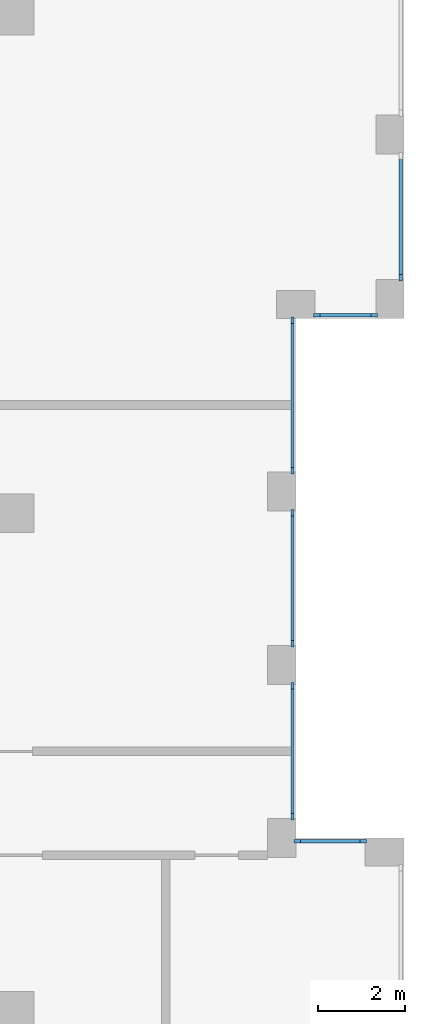
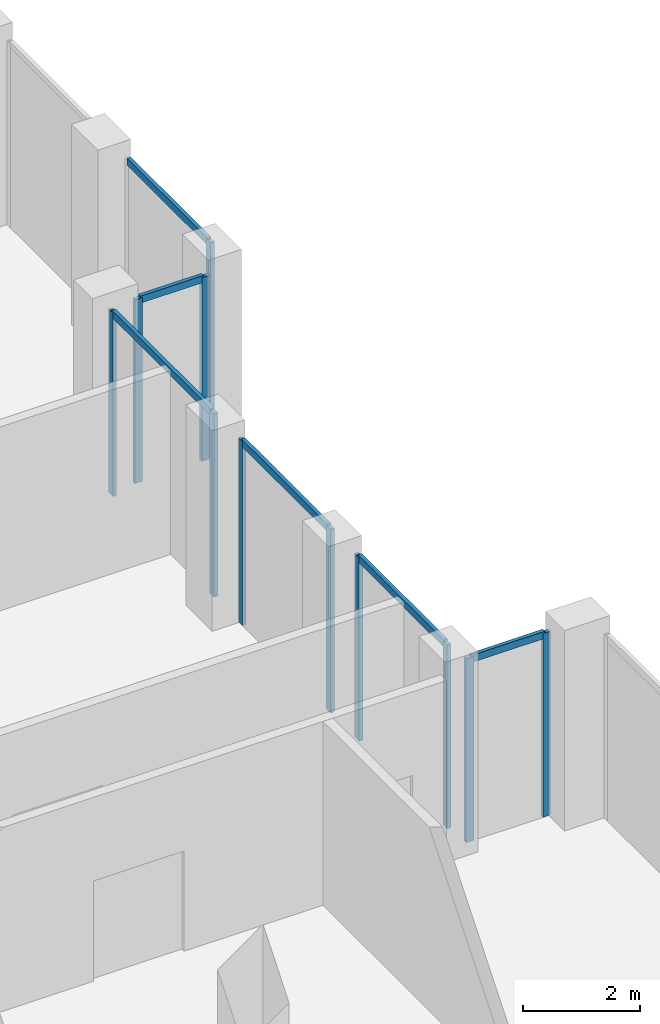
# One storey, part 6 of 15: 17 members, 6 elements without a shape of their own.
"""IFC4 building model written with IfcOpenShell, lengths in metres."""

from ifc_helpers import new_model, si_unit, direction, frame, origin, origin_2d, place, context, subcontext, project, spatial, rectangle, extrude, material, layer, layer_set, material_profile, profile_set, type_object, element, aggregate, save


model = new_model("IFC4")

# Units and contexts
model_context = context("Model", 3, precision=1e-05, world=origin(), true_north=direction((0.0, 1.0)))
body_context = subcontext(model_context, "Body", "Model", "MODEL_VIEW")
ifc_project = project(units=[si_unit("LENGTHUNIT", "METRE"), si_unit("AREAUNIT", "SQUARE_METRE"), si_unit("VOLUMEUNIT", "CUBIC_METRE"), si_unit("PLANEANGLEUNIT", "RADIAN"), si_unit("MASSUNIT", "GRAM", prefix="KILO")], contexts=[model_context])

# Site, building, storey
site_placement = place(None, origin())
site = spatial("IfcSite", under=ifc_project, at=site_placement, CompositionType="ELEMENT")
building_placement = place(site_placement, origin())
building = spatial("IfcBuilding", under=site, at=building_placement, Name="Brigalow Station Residences", CompositionType="ELEMENT")
storey_placement = place(building_placement, frame((0.0, 0.0, 240.0)))
storey = spatial("IfcBuildingStorey", under=building, at=storey_placement, Name="L69", CompositionType="ELEMENT", Elevation=240.0)

# Curtain wall, members
ifc_material_1 = material(Name="Aluminium", Category="aluminium")
ifc_layer = layer(ifc_material_1, 0.14990234375)
ifc_layer_set = layer_set([ifc_layer], Name="CROWN CURTAIN WALL")
curtain_wall_type = type_object("IfcCurtainWallType", Name="CROWN CURTAIN WALL", PredefinedType="NOTDEFINED", material=ifc_layer_set)
curtain_wall_1_placement = place(storey_placement, origin())
curtain_wall_1 = element("IfcCurtainWall", 1, at=curtain_wall_1_placement, inside=storey, type_object=curtain_wall_type, Name="L69/cw/crown-W-L69-11-10", PredefinedType="NOTDEFINED")
ifc_material_2 = material(Name="Aluminium", Category="aluminium")
ifc_material_profile_1 = material_profile(ifc_material_2, rectangle(XDim=0.074951171875, YDim=0.14990234375, at=origin_2d()), Name="CROWN MULLION 75x150")
ifc_profile_set_1 = profile_set([ifc_material_profile_1], Name="Aluminium")
member_type_1 = type_object("IfcMemberType", Name="CROWN MULLION 75x150", PredefinedType="MULLION", material=ifc_profile_set_1)
member_1_placement = place(storey_placement, frame((71.0625, 16.425048828125, 0.0), z_axis=(0.0, 0.0, 1.0), x_axis=(0.0, -1.0, 0.0)))
member_1 = element("IfcMember", 2, at=member_1_placement, type_object=member_type_1, Name="L69/cw/crown-W-L69-11-10/M00", PredefinedType="MULLION", context=body_context, shape_type="SweptSolid", body=[
    extrude(rectangle(XDim=0.074951171875, YDim=0.14990234375, at=origin_2d()), origin(), (0.0, 0.0, 1.0), 3.85009765625),
])
member_2_placement = place(storey_placement, frame((69.53759765625, 16.425048828125, 0.0), z_axis=(0.0, 0.0, 1.0), x_axis=(0.0, -1.0, 0.0)))
member_2 = element("IfcMember", 3, at=member_2_placement, type_object=member_type_1, Name="L69/cw/crown-W-L69-11-10/M01", PredefinedType="MULLION", context=body_context, shape_type="SweptSolid", body=[
    extrude(rectangle(XDim=0.074951171875, YDim=0.14990234375, at=origin_2d()), origin(), (0.0, 0.0, 1.0), 3.85009765625),
])

curtain_wall_2_placement = place(storey_placement, origin())
curtain_wall_2 = element("IfcCurtainWall", 4, at=curtain_wall_2_placement, inside=storey, type_object=curtain_wall_type, Name="L69/cw/crown-W-L69-12-11", PredefinedType="NOTDEFINED")
member_3_placement = place(storey_placement, frame((69.425048828125, 16.987548828125, 0.0), z_axis=(0.0, 0.0, 1.0), x_axis=(-1.0, 0.0, 0.0)))
member_3 = element("IfcMember", 5, at=member_3_placement, type_object=member_type_1, Name="L69/cw/crown-W-L69-12-11/M00", PredefinedType="MULLION", context=body_context, shape_type="SweptSolid", body=[
    extrude(rectangle(XDim=0.074951171875, YDim=0.14990234375, at=origin_2d()), origin(), (0.0, 0.0, 1.0), 3.85009765625),
])
member_4_placement = place(storey_placement, frame((69.425048828125, 20.012451171875, 0.0), z_axis=(0.0, 0.0, 1.0), x_axis=(-1.0, 0.0, 0.0)))
member_4 = element("IfcMember", 6, at=member_4_placement, type_object=member_type_1, Name="L69/cw/crown-W-L69-12-11/M01", PredefinedType="MULLION", context=body_context, shape_type="SweptSolid", body=[
    extrude(rectangle(XDim=0.074951171875, YDim=0.14990234375, at=origin_2d()), origin(), (0.0, 0.0, 1.0), 3.85009765625),
])

curtain_wall_3_placement = place(storey_placement, origin())
curtain_wall_3 = element("IfcCurtainWall", 7, at=curtain_wall_3_placement, inside=storey, type_object=curtain_wall_type, Name="L69/cw/crown-W-L69-12-12", PredefinedType="NOTDEFINED")
member_5_placement = place(storey_placement, frame((69.425048828125, 20.987548828125, 0.0), z_axis=(0.0, 0.0, 1.0), x_axis=(-1.0, 0.0, 0.0)))
member_5 = element("IfcMember", 8, at=member_5_placement, type_object=member_type_1, Name="L69/cw/crown-W-L69-12-12/M00", PredefinedType="MULLION", context=body_context, shape_type="SweptSolid", body=[
    extrude(rectangle(XDim=0.074951171875, YDim=0.14990234375, at=origin_2d()), origin(), (0.0, 0.0, 1.0), 3.85009765625),
])
member_6_placement = place(storey_placement, frame((69.425048828125, 24.012451171875, 0.0), z_axis=(0.0, 0.0, 1.0), x_axis=(-1.0, 0.0, 0.0)))
member_6 = element("IfcMember", 9, at=member_6_placement, type_object=member_type_1, Name="L69/cw/crown-W-L69-12-12/M01", PredefinedType="MULLION", context=body_context, shape_type="SweptSolid", body=[
    extrude(rectangle(XDim=0.074951171875, YDim=0.14990234375, at=origin_2d()), origin(), (0.0, 0.0, 1.0), 3.85009765625),
])

curtain_wall_4_placement = place(storey_placement, origin())
curtain_wall_4 = element("IfcCurtainWall", 10, at=curtain_wall_4_placement, inside=storey, type_object=curtain_wall_type, Name="L69/cw/crown-W-L69-12-13", PredefinedType="NOTDEFINED")
member_7_placement = place(storey_placement, frame((69.425048828125, 24.987548828125, 0.0), z_axis=(0.0, 0.0, 1.0), x_axis=(-1.0, 0.0, 0.0)))
member_7 = element("IfcMember", 11, at=member_7_placement, type_object=member_type_1, Name="L69/cw/crown-W-L69-12-13/M00", PredefinedType="MULLION", context=body_context, shape_type="SweptSolid", body=[
    extrude(rectangle(XDim=0.074951171875, YDim=0.14990234375, at=origin_2d()), origin(), (0.0, 0.0, 1.0), 3.85009765625),
])
member_8_placement = place(storey_placement, frame((69.425048828125, 28.46240234375, 0.0), z_axis=(0.0, 0.0, 1.0), x_axis=(-1.0, 0.0, 0.0)))
member_8 = element("IfcMember", 12, at=member_8_placement, type_object=member_type_1, Name="L69/cw/crown-W-L69-12-13/M01", PredefinedType="MULLION", context=body_context, shape_type="SweptSolid", body=[
    extrude(rectangle(XDim=0.074951171875, YDim=0.14990234375, at=origin_2d()), origin(), (0.0, 0.0, 1.0), 3.85009765625),
])

curtain_wall_5_placement = place(storey_placement, origin())
curtain_wall_5 = element("IfcCurtainWall", 13, at=curtain_wall_5_placement, inside=storey, type_object=curtain_wall_type, Name="L69/cw/crown-W-L69-15-14", PredefinedType="NOTDEFINED")
member_9_placement = place(storey_placement, frame((69.987548828125, 28.574951171875, 0.0), z_axis=(0.0, 0.0, 1.0), x_axis=(0.0, 1.0, 0.0)))
member_9 = element("IfcMember", 14, at=member_9_placement, type_object=member_type_1, Name="L69/cw/crown-W-L69-15-14/M00", PredefinedType="MULLION", context=body_context, shape_type="SweptSolid", body=[
    extrude(rectangle(XDim=0.074951171875, YDim=0.14990234375, at=origin_2d()), origin(), (0.0, 0.0, 1.0), 3.85009765625),
])
member_10_placement = place(storey_placement, frame((71.3125, 28.574951171875, 0.0), z_axis=(0.0, 0.0, 1.0), x_axis=(0.0, 1.0, 0.0)))
member_10 = element("IfcMember", 15, at=member_10_placement, type_object=member_type_1, Name="L69/cw/crown-W-L69-15-14/M01", PredefinedType="MULLION", context=body_context, shape_type="SweptSolid", body=[
    extrude(rectangle(XDim=0.074951171875, YDim=0.14990234375, at=origin_2d()), origin(), (0.0, 0.0, 1.0), 3.85009765625),
])

# Curtain wall, member
curtain_wall_6_placement = place(storey_placement, origin())
curtain_wall_6 = element("IfcCurtainWall", 16, at=curtain_wall_6_placement, inside=storey, type_object=curtain_wall_type, Name="L69/cw/crown-W-L69-16-15", PredefinedType="NOTDEFINED")
member_11_placement = place(storey_placement, frame((71.925048828125, 29.4375, 0.0), z_axis=(0.0, 0.0, 1.0), x_axis=(-1.0, 0.0, 0.0)))
member_11 = element("IfcMember", 17, at=member_11_placement, type_object=member_type_1, Name="L69/cw/crown-W-L69-16-15/M00", PredefinedType="MULLION", context=body_context, shape_type="SweptSolid", body=[
    extrude(rectangle(XDim=0.074951171875, YDim=0.14990234375, at=origin_2d()), origin(), (0.0, 0.0, 1.0), 3.85009765625),
])

# Member
ifc_material_3 = material(Name="Aluminium", Category="aluminium")
ifc_material_profile_2 = material_profile(ifc_material_3, rectangle(XDim=0.074951171875, YDim=0.14990234375, at=origin_2d()), Name="CROWN TRANSOM 75x150")
ifc_profile_set_2 = profile_set([ifc_material_profile_2], Name="Aluminium")
member_type_2 = type_object("IfcMemberType", Name="CROWN TRANSOM 75x150", PredefinedType="USERDEFINED", material=ifc_profile_set_2)
member_12_placement = place(storey_placement, frame((71.02490234375, 16.425048828125, 3.8125), z_axis=(-1.0, 0.0, 0.0), x_axis=(0.0, -1.0, 0.0)))
member_12 = element("IfcMember", 18, at=member_12_placement, type_object=member_type_2, Name="L69/cw/crown-W-L69-11-10/T00-00", ObjectType="TRANSOM", PredefinedType="USERDEFINED", context=body_context, shape_type="SweptSolid", body=[
    extrude(rectangle(XDim=0.074951171875, YDim=0.14990234375, at=origin_2d()), origin(), (0.0, 0.0, 1.0), 1.449951171875),
])

aggregate(curtain_wall_1, [member_1, member_2, member_12])

member_13_placement = place(storey_placement, frame((69.425048828125, 17.02490234375, 3.8125), z_axis=(0.0, 1.0, 0.0), x_axis=(-1.0, 0.0, 0.0)))
member_13 = element("IfcMember", 19, at=member_13_placement, type_object=member_type_2, Name="L69/cw/crown-W-L69-12-11/T00-00", ObjectType="TRANSOM", PredefinedType="USERDEFINED", context=body_context, shape_type="SweptSolid", body=[
    extrude(rectangle(XDim=0.074951171875, YDim=0.14990234375, at=origin_2d()), origin(), (0.0, 0.0, 1.0), 2.9501953125),
])

aggregate(curtain_wall_2, [member_3, member_4, member_13])

member_14_placement = place(storey_placement, frame((69.425048828125, 21.02490234375, 3.8125), z_axis=(0.0, 1.0, 0.0), x_axis=(-1.0, 0.0, 0.0)))
member_14 = element("IfcMember", 20, at=member_14_placement, type_object=member_type_2, Name="L69/cw/crown-W-L69-12-12/T00-00", ObjectType="TRANSOM", PredefinedType="USERDEFINED", context=body_context, shape_type="SweptSolid", body=[
    extrude(rectangle(XDim=0.074951171875, YDim=0.14990234375, at=origin_2d()), origin(), (0.0, 0.0, 1.0), 2.9501953125),
])

aggregate(curtain_wall_3, [member_5, member_6, member_14])

member_15_placement = place(storey_placement, frame((69.425048828125, 25.02490234375, 3.8125), z_axis=(0.0, 1.0, 0.0), x_axis=(-1.0, 0.0, 0.0)))
member_15 = element("IfcMember", 21, at=member_15_placement, type_object=member_type_2, Name="L69/cw/crown-W-L69-12-13/T00-00", ObjectType="TRANSOM", PredefinedType="USERDEFINED", context=body_context, shape_type="SweptSolid", body=[
    extrude(rectangle(XDim=0.074951171875, YDim=0.14990234375, at=origin_2d()), origin(), (0.0, 0.0, 1.0), 3.400146484375),
])

aggregate(curtain_wall_4, [member_7, member_8, member_15])

member_16_placement = place(storey_placement, frame((70.02490234375, 28.574951171875, 3.8125), z_axis=(1.0, 0.0, 0.0), x_axis=(0.0, 1.0, 0.0)))
member_16 = element("IfcMember", 22, at=member_16_placement, type_object=member_type_2, Name="L69/cw/crown-W-L69-15-14/T00-00", ObjectType="TRANSOM", PredefinedType="USERDEFINED", context=body_context, shape_type="SweptSolid", body=[
    extrude(rectangle(XDim=0.074951171875, YDim=0.14990234375, at=origin_2d()), origin(), (0.0, 0.0, 1.0), 1.25),
])

aggregate(curtain_wall_5, [member_9, member_10, member_16])

member_17_placement = place(storey_placement, frame((71.925048828125, 29.47509765625, 3.8125), z_axis=(0.0, 1.0, 0.0), x_axis=(-1.0, 0.0, 0.0)))
member_17 = element("IfcMember", 23, at=member_17_placement, type_object=member_type_2, Name="L69/cw/crown-W-L69-16-15/T00-00", ObjectType="TRANSOM", PredefinedType="USERDEFINED", context=body_context, shape_type="SweptSolid", body=[
    extrude(rectangle(XDim=0.074951171875, YDim=0.14990234375, at=origin_2d()), origin(), (0.0, 0.0, 1.0), 2.75),
])

aggregate(curtain_wall_6, [member_11, member_17])

save(model, "model.ifc")
